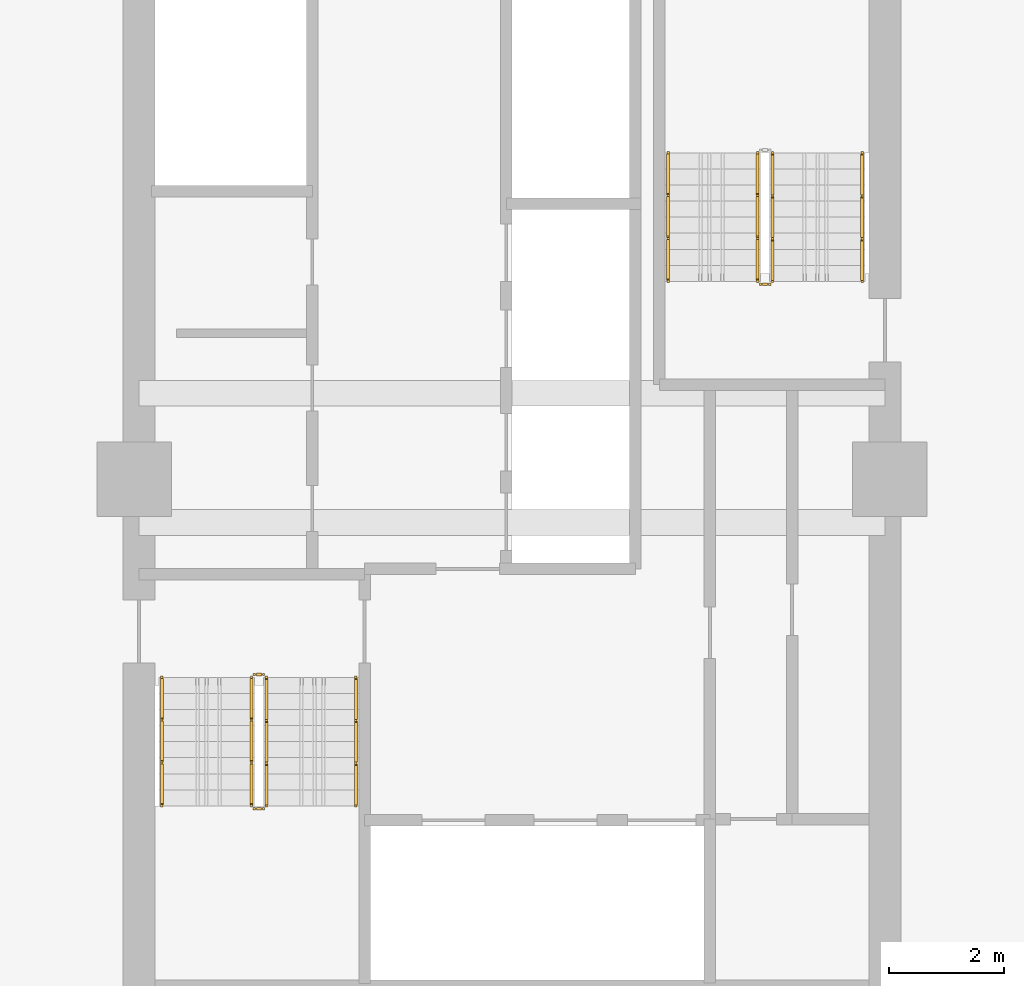
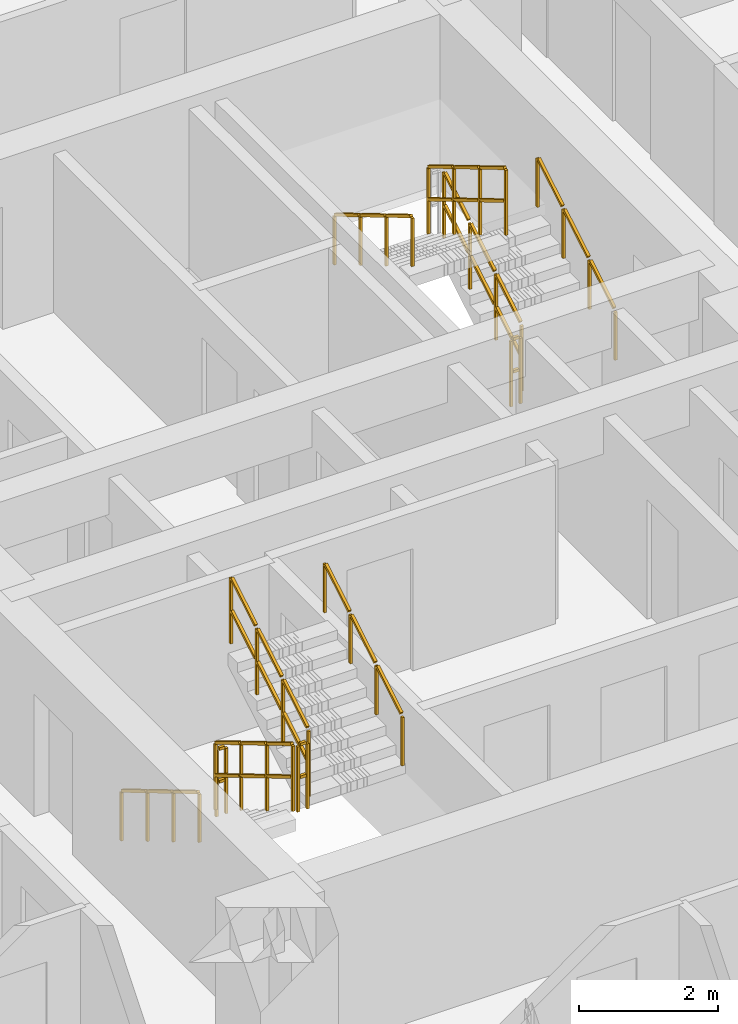
# One storey, part 11 of 13: 11 railings.
"""IFC4 building model written with IfcOpenShell, lengths in metres."""

from ifc_helpers import new_model, si_unit, direction, frame, origin, origin_2d, place, context, subcontext, project, spatial, rectangle, extrude, material, type_object, element, save


model = new_model("IFC4")

# Units and contexts
model_context = context("Model", 3, precision=1e-05, world=origin(), true_north=direction((0.0, 1.0)))
body_context = subcontext(model_context, "Body", "Model", "MODEL_VIEW")
ifc_project = project(units=[si_unit("LENGTHUNIT", "METRE"), si_unit("AREAUNIT", "SQUARE_METRE"), si_unit("VOLUMEUNIT", "CUBIC_METRE"), si_unit("PLANEANGLEUNIT", "RADIAN"), si_unit("MASSUNIT", "GRAM", prefix="KILO")], contexts=[model_context])

# Site, building, storey
site_placement = place(None, origin())
site = spatial("IfcSite", under=ifc_project, at=site_placement, CompositionType="ELEMENT")
building_placement = place(site_placement, origin())
building = spatial("IfcBuilding", under=site, at=building_placement, Name="Saelheon Loggia Tower", CompositionType="ELEMENT")
storey_placement = place(building_placement, frame((0.0, 0.0, 132.75)))
storey = spatial("IfcBuildingStorey", under=building, at=storey_placement, Name="L42", CompositionType="ELEMENT", Elevation=132.75)

# Railings
ifc_material_1 = material(Name="Galvanised Steel S275 Stairwell Guardrail", Category="steel")
railing_type_1 = type_object("IfcRailingType", Name="Guard_StairWell_RL_STG", PredefinedType="GUARDRAIL", material=ifc_material_1)
railing_1_placement = place(storey_placement, frame((33.4599609375, 23.550048828125, 0.166748046875)))
element("IfcRailing", 1, at=railing_1_placement, inside=storey, type_object=railing_type_1, Name="L42 ST1 stair guard 1", PredefinedType="GUARDRAIL", context=body_context, shape_type="SweptSolid", body=[
    extrude(rectangle(XDim=0.048095703125, YDim=0.048095703125, at=origin_2d()), frame((0.0, -0.028564453125, 1.19287109375), z_axis=(0.0, -0.859305625298, 0.511462454469), x_axis=(1.0, 0.0, 0.0)), (0.0, 0.0, 1.0), 0.802490234375),
    extrude(rectangle(XDim=0.048095703125, YDim=0.048095703125, at=origin_2d()), frame((0.0, -0.028564453125, 0.616943359375), z_axis=(0.0, -0.859305625298, 0.511462454469), x_axis=(1.0, 0.0, 0.0)), (0.0, 0.0, 1.0), 0.802490234375),
    extrude(rectangle(XDim=0.048095703125, YDim=0.048095703125, at=origin_2d()), frame((0.0, -0.775146484375, 1.63720703125), z_axis=(0.0, -0.859305625298, 0.511462454469), x_axis=(1.0, 0.0, 0.0)), (0.0, 0.0, 1.0), 0.802490234375),
    extrude(rectangle(XDim=0.048095703125, YDim=0.048095703125, at=origin_2d()), frame((0.0, -0.775146484375, 1.061279296875), z_axis=(0.0, -0.859305625298, 0.511462454469), x_axis=(1.0, 0.0, 0.0)), (0.0, 0.0, 1.0), 0.802490234375),
    extrude(rectangle(XDim=0.048095703125, YDim=0.048095703125, at=origin_2d()), frame((0.0, -1.52197265625, 2.081787109375), z_axis=(0.0, -0.859305625298, 0.511462454469), x_axis=(1.0, 0.0, 0.0)), (0.0, 0.0, 1.0), 0.802490234375),
    extrude(rectangle(XDim=0.048095703125, YDim=0.048095703125, at=origin_2d()), frame((0.0, -1.52197265625, 1.505859375), z_axis=(0.0, -0.859305625298, 0.511462454469), x_axis=(1.0, 0.0, 0.0)), (0.0, 0.0, 1.0), 0.802490234375),
    extrude(rectangle(XDim=0.0419921875, YDim=0.0419921875, at=origin_2d()), origin(), (0.0, 0.0, 1.0), 1.14794921875),
    extrude(rectangle(XDim=0.0419921875, YDim=0.0419921875, at=origin_2d()), frame((0.0, -0.74658203125, 0.4443359375)), (0.0, 0.0, 1.0), 1.14794921875),
    extrude(rectangle(XDim=0.0419921875, YDim=0.0419921875, at=origin_2d()), frame((0.0, -1.493408203125, 0.888916015625)), (0.0, 0.0, 1.0), 1.14794921875),
    extrude(rectangle(XDim=0.0419921875, YDim=0.0419921875, at=origin_2d()), frame((0.0, -2.239990234375, 1.333251953125)), (0.0, 0.0, 1.0), 1.14794921875),
])
railing_2_placement = place(storey_placement, frame((33.510009765625, 21.260009765625, 1.5)))
element("IfcRailing", 2, at=railing_2_placement, inside=storey, type_object=railing_type_1, Name="L42 ST1 stair guard 2", PredefinedType="GUARDRAIL", context=body_context, shape_type="SweptSolid", body=[
    extrude(rectangle(XDim=0.048095703125, YDim=0.048095703125, at=origin_2d()), frame((0.033203125, 0.0, 1.17578125), z_axis=(1.0, 0.0, 0.0), x_axis=(0.0, 1.0, 0.0)), (0.0, 0.0, 1.0), 0.093505859375),
    extrude(rectangle(XDim=0.048095703125, YDim=0.048095703125, at=origin_2d()), frame((0.033203125, 0.0, 0.60009765625), z_axis=(1.0, 0.0, 0.0), x_axis=(0.0, 1.0, 0.0)), (0.0, 0.0, 1.0), 0.093505859375),
    extrude(rectangle(XDim=0.0419921875, YDim=0.0419921875, at=origin_2d()), origin(), (0.0, 0.0, 1.0), 1.14794921875),
    extrude(rectangle(XDim=0.0419921875, YDim=0.0419921875, at=origin_2d()), frame((0.159912109375, 0.0, 0.0)), (0.0, 0.0, 1.0), 1.14794921875),
])
railing_3_placement = place(storey_placement, frame((33.719970703125, 21.31005859375, 1.666748046875)))
element("IfcRailing", 3, at=railing_3_placement, inside=storey, type_object=railing_type_1, Name="L42 ST1 stair guard 3", PredefinedType="GUARDRAIL", context=body_context, shape_type="SweptSolid", body=[
    extrude(rectangle(XDim=0.048095703125, YDim=0.048095703125, at=origin_2d()), frame((0.0, 0.028564453125, 1.19287109375), z_axis=(0.0, 0.859305625298, 0.511462454469), x_axis=(-1.0, 0.0, 0.0)), (0.0, 0.0, 1.0), 0.802490234375),
    extrude(rectangle(XDim=0.048095703125, YDim=0.048095703125, at=origin_2d()), frame((0.0, 0.028564453125, 0.616943359375), z_axis=(0.0, 0.859305625298, 0.511462454469), x_axis=(-1.0, 0.0, 0.0)), (0.0, 0.0, 1.0), 0.802490234375),
    extrude(rectangle(XDim=0.048095703125, YDim=0.048095703125, at=origin_2d()), frame((0.0, 0.775146484375, 1.63720703125), z_axis=(0.0, 0.859305625298, 0.511462454469), x_axis=(-1.0, 0.0, 0.0)), (0.0, 0.0, 1.0), 0.802490234375),
    extrude(rectangle(XDim=0.048095703125, YDim=0.048095703125, at=origin_2d()), frame((0.0, 0.775146484375, 1.061279296875), z_axis=(0.0, 0.859305625298, 0.511462454469), x_axis=(-1.0, 0.0, 0.0)), (0.0, 0.0, 1.0), 0.802490234375),
    extrude(rectangle(XDim=0.048095703125, YDim=0.048095703125, at=origin_2d()), frame((0.0, 1.52197265625, 2.081787109375), z_axis=(0.0, 0.859305625298, 0.511462454469), x_axis=(-1.0, 0.0, 0.0)), (0.0, 0.0, 1.0), 0.802490234375),
    extrude(rectangle(XDim=0.048095703125, YDim=0.048095703125, at=origin_2d()), frame((0.0, 1.52197265625, 1.505859375), z_axis=(0.0, 0.859305625298, 0.511462454469), x_axis=(-1.0, 0.0, 0.0)), (0.0, 0.0, 1.0), 0.802490234375),
    extrude(rectangle(XDim=0.0419921875, YDim=0.0419921875, at=origin_2d()), origin(), (0.0, 0.0, 1.0), 1.14794921875),
    extrude(rectangle(XDim=0.0419921875, YDim=0.0419921875, at=origin_2d()), frame((0.0, 0.74658203125, 0.4443359375)), (0.0, 0.0, 1.0), 1.14794921875),
    extrude(rectangle(XDim=0.0419921875, YDim=0.0419921875, at=origin_2d()), frame((0.0, 1.493408203125, 0.888916015625)), (0.0, 0.0, 1.0), 1.14794921875),
    extrude(rectangle(XDim=0.0419921875, YDim=0.0419921875, at=origin_2d()), frame((0.0, 2.239990234375, 1.333251953125)), (0.0, 0.0, 1.0), 1.14794921875),
])
railing_4_placement = place(storey_placement, frame((33.510009765625, 23.60009765625, 0.0)))
element("IfcRailing", 4, at=railing_4_placement, inside=storey, type_object=railing_type_1, Name="L42 ST1 stair guard 4", PredefinedType="GUARDRAIL", context=body_context, shape_type="SweptSolid", body=[
    extrude(rectangle(XDim=0.048095703125, YDim=0.048095703125, at=origin_2d()), frame((0.033203125, 0.0, 1.17578125), z_axis=(1.0, 0.0, 0.0), x_axis=(0.0, 1.0, 0.0)), (0.0, 0.0, 1.0), 0.093505859375),
    extrude(rectangle(XDim=0.048095703125, YDim=0.048095703125, at=origin_2d()), frame((0.033203125, 0.0, 0.60009765625), z_axis=(1.0, 0.0, 0.0), x_axis=(0.0, 1.0, 0.0)), (0.0, 0.0, 1.0), 0.093505859375),
    extrude(rectangle(XDim=0.0419921875, YDim=0.0419921875, at=origin_2d()), origin(), (0.0, 0.0, 1.0), 1.14794921875),
    extrude(rectangle(XDim=0.0419921875, YDim=0.0419921875, at=origin_2d()), frame((0.159912109375, 0.0, 0.0)), (0.0, 0.0, 1.0), 1.14794921875),
])
railing_5_placement = place(storey_placement, frame((42.5400390625, 30.449951171875, 0.166748046875)))
element("IfcRailing", 5, at=railing_5_placement, inside=storey, type_object=railing_type_1, Name="L42 ST2 stair guard 1", PredefinedType="GUARDRAIL", context=body_context, shape_type="SweptSolid", body=[
    extrude(rectangle(XDim=0.048095703125, YDim=0.048095703125, at=origin_2d()), frame((0.0, 0.028564453125, 1.19287109375), z_axis=(0.0, 0.859305625298, 0.511462454469), x_axis=(-1.0, 0.0, 0.0)), (0.0, 0.0, 1.0), 0.802490234375),
    extrude(rectangle(XDim=0.048095703125, YDim=0.048095703125, at=origin_2d()), frame((0.0, 0.028564453125, 0.616943359375), z_axis=(0.0, 0.859305625298, 0.511462454469), x_axis=(-1.0, 0.0, 0.0)), (0.0, 0.0, 1.0), 0.802490234375),
    extrude(rectangle(XDim=0.048095703125, YDim=0.048095703125, at=origin_2d()), frame((0.0, 0.775146484375, 1.63720703125), z_axis=(0.0, 0.859305625298, 0.511462454469), x_axis=(-1.0, 0.0, 0.0)), (0.0, 0.0, 1.0), 0.802490234375),
    extrude(rectangle(XDim=0.048095703125, YDim=0.048095703125, at=origin_2d()), frame((0.0, 0.775146484375, 1.061279296875), z_axis=(0.0, 0.859305625298, 0.511462454469), x_axis=(-1.0, 0.0, 0.0)), (0.0, 0.0, 1.0), 0.802490234375),
    extrude(rectangle(XDim=0.048095703125, YDim=0.048095703125, at=origin_2d()), frame((0.0, 1.52197265625, 2.081787109375), z_axis=(0.0, 0.859305625298, 0.511462454469), x_axis=(-1.0, 0.0, 0.0)), (0.0, 0.0, 1.0), 0.802490234375),
    extrude(rectangle(XDim=0.048095703125, YDim=0.048095703125, at=origin_2d()), frame((0.0, 1.52197265625, 1.505859375), z_axis=(0.0, 0.859305625298, 0.511462454469), x_axis=(-1.0, 0.0, 0.0)), (0.0, 0.0, 1.0), 0.802490234375),
    extrude(rectangle(XDim=0.0419921875, YDim=0.0419921875, at=origin_2d()), origin(), (0.0, 0.0, 1.0), 1.14794921875),
    extrude(rectangle(XDim=0.0419921875, YDim=0.0419921875, at=origin_2d()), frame((0.0, 0.74658203125, 0.4443359375)), (0.0, 0.0, 1.0), 1.14794921875),
    extrude(rectangle(XDim=0.0419921875, YDim=0.0419921875, at=origin_2d()), frame((0.0, 1.493408203125, 0.888916015625)), (0.0, 0.0, 1.0), 1.14794921875),
    extrude(rectangle(XDim=0.0419921875, YDim=0.0419921875, at=origin_2d()), frame((0.0, 2.239990234375, 1.333251953125)), (0.0, 0.0, 1.0), 1.14794921875),
])
railing_6_placement = place(storey_placement, frame((42.280029296875, 32.68994140625, 1.666748046875)))
element("IfcRailing", 6, at=railing_6_placement, inside=storey, type_object=railing_type_1, Name="L42 ST2 stair guard 3", PredefinedType="GUARDRAIL", context=body_context, shape_type="SweptSolid", body=[
    extrude(rectangle(XDim=0.048095703125, YDim=0.048095703125, at=origin_2d()), frame((0.0, -0.028564453125, 1.19287109375), z_axis=(0.0, -0.859305625298, 0.511462454469), x_axis=(1.0, 0.0, 0.0)), (0.0, 0.0, 1.0), 0.802490234375),
    extrude(rectangle(XDim=0.048095703125, YDim=0.048095703125, at=origin_2d()), frame((0.0, -0.028564453125, 0.616943359375), z_axis=(0.0, -0.859305625298, 0.511462454469), x_axis=(1.0, 0.0, 0.0)), (0.0, 0.0, 1.0), 0.802490234375),
    extrude(rectangle(XDim=0.048095703125, YDim=0.048095703125, at=origin_2d()), frame((0.0, -0.775146484375, 1.63720703125), z_axis=(0.0, -0.859305625298, 0.511462454469), x_axis=(1.0, 0.0, 0.0)), (0.0, 0.0, 1.0), 0.802490234375),
    extrude(rectangle(XDim=0.048095703125, YDim=0.048095703125, at=origin_2d()), frame((0.0, -0.775146484375, 1.061279296875), z_axis=(0.0, -0.859305625298, 0.511462454469), x_axis=(1.0, 0.0, 0.0)), (0.0, 0.0, 1.0), 0.802490234375),
    extrude(rectangle(XDim=0.048095703125, YDim=0.048095703125, at=origin_2d()), frame((0.0, -1.52197265625, 2.081787109375), z_axis=(0.0, -0.859305625298, 0.511462454469), x_axis=(1.0, 0.0, 0.0)), (0.0, 0.0, 1.0), 0.802490234375),
    extrude(rectangle(XDim=0.048095703125, YDim=0.048095703125, at=origin_2d()), frame((0.0, -1.52197265625, 1.505859375), z_axis=(0.0, -0.859305625298, 0.511462454469), x_axis=(1.0, 0.0, 0.0)), (0.0, 0.0, 1.0), 0.802490234375),
    extrude(rectangle(XDim=0.0419921875, YDim=0.0419921875, at=origin_2d()), origin(), (0.0, 0.0, 1.0), 1.14794921875),
    extrude(rectangle(XDim=0.0419921875, YDim=0.0419921875, at=origin_2d()), frame((0.0, -0.74658203125, 0.4443359375)), (0.0, 0.0, 1.0), 1.14794921875),
    extrude(rectangle(XDim=0.0419921875, YDim=0.0419921875, at=origin_2d()), frame((0.0, -1.493408203125, 0.888916015625)), (0.0, 0.0, 1.0), 1.14794921875),
    extrude(rectangle(XDim=0.0419921875, YDim=0.0419921875, at=origin_2d()), frame((0.0, -2.239990234375, 1.333251953125)), (0.0, 0.0, 1.0), 1.14794921875),
])
railing_7_placement = place(storey_placement, frame((42.489990234375, 30.39990234375, 0.0)))
element("IfcRailing", 7, at=railing_7_placement, inside=storey, type_object=railing_type_1, Name="L42 ST2 stair guard 4", PredefinedType="GUARDRAIL", context=body_context, shape_type="SweptSolid", body=[
    extrude(rectangle(XDim=0.048095703125, YDim=0.048095703125, at=origin_2d()), frame((-0.033203125, 0.0, 1.17578125), z_axis=(-1.0, 0.0, 0.0), x_axis=(0.0, -1.0, 0.0)), (0.0, 0.0, 1.0), 0.093505859375),
    extrude(rectangle(XDim=0.048095703125, YDim=0.048095703125, at=origin_2d()), frame((-0.033203125, 0.0, 0.60009765625), z_axis=(-1.0, 0.0, 0.0), x_axis=(0.0, -1.0, 0.0)), (0.0, 0.0, 1.0), 0.093505859375),
    extrude(rectangle(XDim=0.0419921875, YDim=0.0419921875, at=origin_2d()), origin(), (0.0, 0.0, 1.0), 1.14794921875),
    extrude(rectangle(XDim=0.0419921875, YDim=0.0419921875, at=origin_2d()), frame((-0.159912109375, 0.0, 0.0)), (0.0, 0.0, 1.0), 1.14794921875),
])
ifc_material_2 = material(Name="Stainless Steel 304 Tubular Handrail", Category="steel")
railing_type_2 = type_object("IfcRailingType", Name="Handrail_Stair_RL_HR1", PredefinedType="HANDRAIL", material=ifc_material_2)
railing_8_placement = place(storey_placement, frame((31.89990234375, 23.550048828125, 0.166748046875)))
element("IfcRailing", 8, at=railing_8_placement, inside=storey, type_object=railing_type_2, Name="L42 ST1 stair handrail 1", PredefinedType="HANDRAIL", context=body_context, shape_type="SweptSolid", body=[
    extrude(rectangle(XDim=0.048095703125, YDim=0.048095703125, at=origin_2d()), frame((0.0, -0.028564453125, 0.892822265625), z_axis=(0.0, -0.859305625298, 0.511462454469), x_axis=(1.0, 0.0, 0.0)), (0.0, 0.0, 1.0), 0.802490234375),
    extrude(rectangle(XDim=0.048095703125, YDim=0.048095703125, at=origin_2d()), frame((0.0, -0.775146484375, 1.337158203125), z_axis=(0.0, -0.859305625298, 0.511462454469), x_axis=(1.0, 0.0, 0.0)), (0.0, 0.0, 1.0), 0.802490234375),
    extrude(rectangle(XDim=0.048095703125, YDim=0.048095703125, at=origin_2d()), frame((0.0, -1.52197265625, 1.78173828125), z_axis=(0.0, -0.859305625298, 0.511462454469), x_axis=(1.0, 0.0, 0.0)), (0.0, 0.0, 1.0), 0.802490234375),
    extrude(rectangle(XDim=0.0419921875, YDim=0.0419921875, at=origin_2d()), origin(), (0.0, 0.0, 1.0), 0.847900390625),
    extrude(rectangle(XDim=0.0419921875, YDim=0.0419921875, at=origin_2d()), frame((0.0, -0.74658203125, 0.4443359375)), (0.0, 0.0, 1.0), 0.847900390625),
    extrude(rectangle(XDim=0.0419921875, YDim=0.0419921875, at=origin_2d()), frame((0.0, -1.493408203125, 0.888916015625)), (0.0, 0.0, 1.0), 0.847900390625),
    extrude(rectangle(XDim=0.0419921875, YDim=0.0419921875, at=origin_2d()), frame((0.0, -2.239990234375, 1.333251953125)), (0.0, 0.0, 1.0), 0.847900390625),
])
for number, where, name in (
    (9, (35.280029296875, 21.31005859375, 1.666748046875), "L42 ST1 stair handrail 2"),
    (10, (44.10009765625, 30.449951171875, 0.166748046875), "L42 ST2 stair handrail 1"),
):
    element("IfcRailing", number, at=place(storey_placement, frame(where)), inside=storey, type_object=railing_type_2, Name=name, PredefinedType="HANDRAIL", context=body_context, shape_type="SweptSolid", body=[
        extrude(rectangle(XDim=0.048095703125, YDim=0.048095703125, at=origin_2d()), frame((0.0, 0.028564453125, 0.892822265625), z_axis=(0.0, 0.859305625298, 0.511462454469), x_axis=(-1.0, 0.0, 0.0)), (0.0, 0.0, 1.0), 0.802490234375),
        extrude(rectangle(XDim=0.048095703125, YDim=0.048095703125, at=origin_2d()), frame((0.0, 0.775146484375, 1.337158203125), z_axis=(0.0, 0.859305625298, 0.511462454469), x_axis=(-1.0, 0.0, 0.0)), (0.0, 0.0, 1.0), 0.802490234375),
        extrude(rectangle(XDim=0.048095703125, YDim=0.048095703125, at=origin_2d()), frame((0.0, 1.52197265625, 1.78173828125), z_axis=(0.0, 0.859305625298, 0.511462454469), x_axis=(-1.0, 0.0, 0.0)), (0.0, 0.0, 1.0), 0.802490234375),
        extrude(rectangle(XDim=0.0419921875, YDim=0.0419921875, at=origin_2d()), origin(), (0.0, 0.0, 1.0), 0.847900390625),
        extrude(rectangle(XDim=0.0419921875, YDim=0.0419921875, at=origin_2d()), frame((0.0, 0.74658203125, 0.4443359375)), (0.0, 0.0, 1.0), 0.847900390625),
        extrude(rectangle(XDim=0.0419921875, YDim=0.0419921875, at=origin_2d()), frame((0.0, 1.493408203125, 0.888916015625)), (0.0, 0.0, 1.0), 0.847900390625),
        extrude(rectangle(XDim=0.0419921875, YDim=0.0419921875, at=origin_2d()), frame((0.0, 2.239990234375, 1.333251953125)), (0.0, 0.0, 1.0), 0.847900390625),
    ])
railing_9_placement = place(storey_placement, frame((40.719970703125, 32.68994140625, 1.666748046875)))
element("IfcRailing", 11, at=railing_9_placement, inside=storey, type_object=railing_type_2, Name="L42 ST2 stair handrail 2", PredefinedType="HANDRAIL", context=body_context, shape_type="SweptSolid", body=[
    extrude(rectangle(XDim=0.048095703125, YDim=0.048095703125, at=origin_2d()), frame((0.0, -0.028564453125, 0.892822265625), z_axis=(0.0, -0.859305625298, 0.511462454469), x_axis=(1.0, 0.0, 0.0)), (0.0, 0.0, 1.0), 0.802490234375),
    extrude(rectangle(XDim=0.048095703125, YDim=0.048095703125, at=origin_2d()), frame((0.0, -0.775146484375, 1.337158203125), z_axis=(0.0, -0.859305625298, 0.511462454469), x_axis=(1.0, 0.0, 0.0)), (0.0, 0.0, 1.0), 0.802490234375),
    extrude(rectangle(XDim=0.048095703125, YDim=0.048095703125, at=origin_2d()), frame((0.0, -1.52197265625, 1.78173828125), z_axis=(0.0, -0.859305625298, 0.511462454469), x_axis=(1.0, 0.0, 0.0)), (0.0, 0.0, 1.0), 0.802490234375),
    extrude(rectangle(XDim=0.0419921875, YDim=0.0419921875, at=origin_2d()), origin(), (0.0, 0.0, 1.0), 0.847900390625),
    extrude(rectangle(XDim=0.0419921875, YDim=0.0419921875, at=origin_2d()), frame((0.0, -0.74658203125, 0.4443359375)), (0.0, 0.0, 1.0), 0.847900390625),
    extrude(rectangle(XDim=0.0419921875, YDim=0.0419921875, at=origin_2d()), frame((0.0, -1.493408203125, 0.888916015625)), (0.0, 0.0, 1.0), 0.847900390625),
    extrude(rectangle(XDim=0.0419921875, YDim=0.0419921875, at=origin_2d()), frame((0.0, -2.239990234375, 1.333251953125)), (0.0, 0.0, 1.0), 0.847900390625),
])

save(model, "model.ifc")
